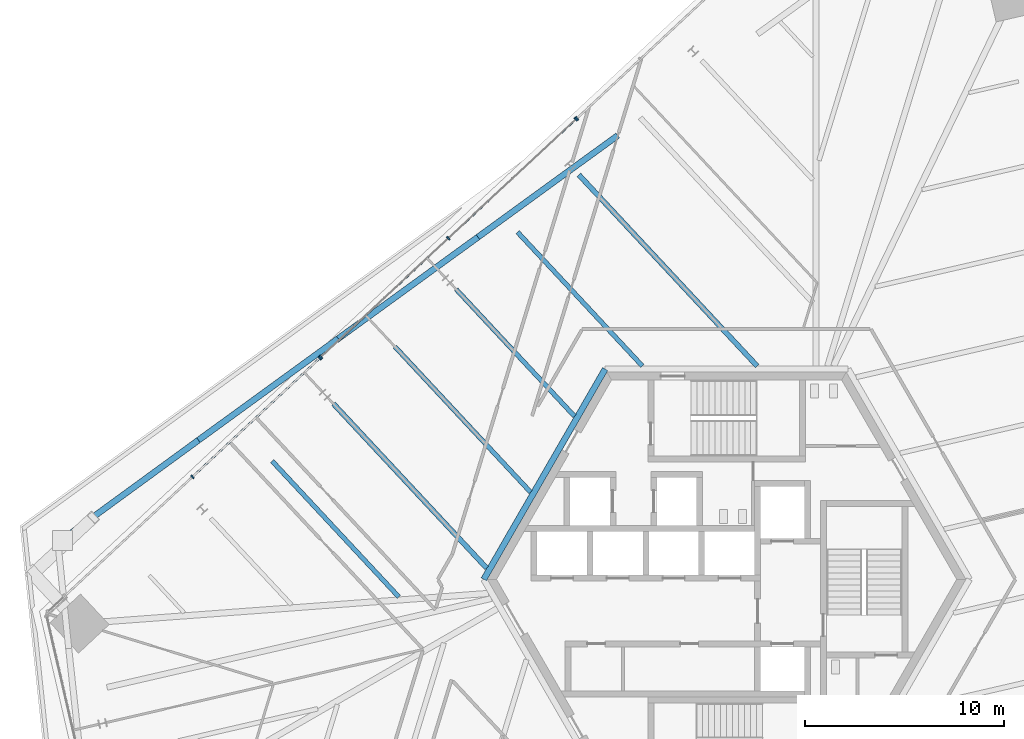
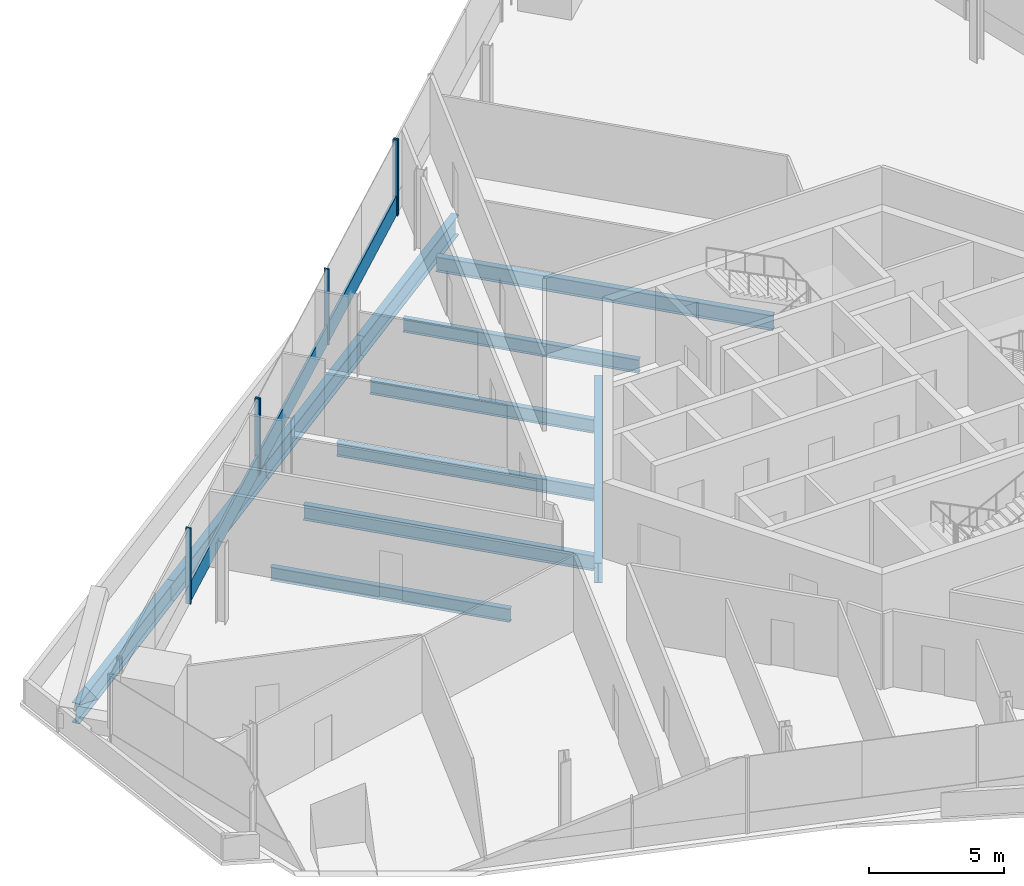
# One storey, part 8 of 25: 11 beams, 9 members, 3 elements without a shape of their own.
"""IFC4 building model written with IfcOpenShell, lengths in metres."""

from ifc_helpers import new_model, si_unit, direction, frame, origin, origin_2d, place, context, subcontext, project, spatial, rectangle, i_section, extrude, source, transform, mapped, material, material_profile, profile_set, type_object, element, aggregate, save


model = new_model("IFC4")

# Units and contexts
model_context = context("Model", 3, precision=1e-05, world=origin(), true_north=direction((0.0, 1.0)))
body_context = subcontext(model_context, "Body", "Model", "MODEL_VIEW")
ifc_project = project(units=[si_unit("LENGTHUNIT", "METRE"), si_unit("AREAUNIT", "SQUARE_METRE"), si_unit("VOLUMEUNIT", "CUBIC_METRE"), si_unit("PLANEANGLEUNIT", "RADIAN"), si_unit("MASSUNIT", "GRAM", prefix="KILO")], contexts=[model_context])

# Site, building, storey
site_placement = place(None, origin())
site = spatial("IfcSite", under=ifc_project, at=site_placement, CompositionType="ELEMENT")
building_placement = place(site_placement, origin())
building = spatial("IfcBuilding", under=site, at=building_placement, Name="Triune Harvest Tower", CompositionType="ELEMENT")
storey_placement = place(building_placement, frame((0.0, 0.0, 98.300048828125)))
storey = spatial("IfcBuildingStorey", under=building, at=storey_placement, Name="L24", CompositionType="ELEMENT", Elevation=98.300048828125)

# Beams
ifc_material_1 = material(Name="Steel ASTM A992 Gr 50", Category="steel")
ifc_material_profile_1 = material_profile(ifc_material_1, i_section(OverallWidth=0.253662109375, OverallDepth=0.683349609375, WebThickness=0.012451171875, FlangeThickness=0.01904296875, at=origin_2d()), Name="W27x94")
ifc_profile_set_1 = profile_set([ifc_material_profile_1], Name="Steel ASTM A992 Gr 50")
beam_type_1 = type_object("IfcBeamType", Name="JT-4 Floor joist W27x94", PredefinedType="JOIST", material=ifc_profile_set_1)
beam_1_placement = place(storey_placement, frame((-7.404541015625, 20.2783203125, -0.501708984375), z_axis=(0.681992832322, -0.731358856282, 0.0), x_axis=(0.731358856282, 0.681992832322, 0.0)))
element("IfcBeam", 1, at=beam_1_placement, inside=storey, type_object=beam_type_1, Name="beam/L24/JT17", PredefinedType="JOIST", context=body_context, shape_type="SweptSolid", body=[
    extrude(i_section(OverallWidth=0.253662109375, OverallDepth=0.683349609375, WebThickness=0.012451171875, FlangeThickness=0.01904296875, at=origin_2d()), origin(), (0.0, 0.0, 1.0), 13.1005859375),
])
beam_2_placement = place(storey_placement, frame((-19.71240234375, 8.801025390625, -0.501708984375), z_axis=(0.681995471969, -0.731356394799, 0.0), x_axis=(0.731356394799, 0.681995471969, 0.0)))
element("IfcBeam", 2, at=beam_2_placement, inside=storey, type_object=beam_type_1, Name="beam/L24/JT21", PredefinedType="JOIST", context=body_context, shape_type="SweptSolid", body=[
    extrude(i_section(OverallWidth=0.253662109375, OverallDepth=0.683349609375, WebThickness=0.012451171875, FlangeThickness=0.01904296875, at=origin_2d()), origin(), (0.0, 0.0, 1.0), 11.26708984375),
])
ifc_material_2 = material(Name="Steel ASTM A992 Gr 50", Category="steel")
ifc_material_profile_2 = material_profile(ifc_material_2, i_section(OverallWidth=0.3046875, OverallDepth=0.914306640625, WebThickness=0.0166015625, FlangeThickness=0.02587890625, at=origin_2d()), Name="W36x160")
ifc_profile_set_2 = profile_set([ifc_material_profile_2], Name="Steel ASTM A992 Gr 50")
beam_type_2 = type_object("IfcBeamType", Name="SB-1 Spandrel beam W36x160", PredefinedType="SPANDREL", material=ifc_profile_set_2)
beam_3_placement = place(storey_placement, frame((-5.46044921875, 22.2529296875, -0.6171875), z_axis=(-0.809022399038, -0.58777781334, 0.0), x_axis=(0.58777781334, -0.809022399038, 0.0)))
element("IfcBeam", 3, at=beam_3_placement, inside=storey, type_object=beam_type_2, Name="beam/L24/WB9", PredefinedType="SPANDREL", context=body_context, shape_type="SweptSolid", body=[
    extrude(i_section(OverallWidth=0.3046875, OverallDepth=0.914306640625, WebThickness=0.0166015625, FlangeThickness=0.02587890625, at=origin_2d()), origin(), (0.0, 0.0, 1.0), 8.662353515625),
])
ifc_material_3 = material(Name="Steel ASTM A992 Gr 50", Category="steel")
ifc_material_profile_3 = material_profile(ifc_material_3, i_section(OverallWidth=0.3046875, OverallDepth=0.914306640625, WebThickness=0.0166015625, FlangeThickness=0.02587890625, at=origin_2d()), Name="W36x160")
ifc_profile_set_3 = profile_set([ifc_material_profile_3], Name="Steel ASTM A992 Gr 50")
beam_type_3 = type_object("IfcBeamType", Name="CG-1 Core ring girder W36x160", PredefinedType="BEAM", material=ifc_profile_set_3)
shared_shape_1 = source(origin(), body_context, "Body", "SweptSolid", [
    extrude(i_section(OverallWidth=0.3046875, OverallDepth=0.914306640625, WebThickness=0.0166015625, FlangeThickness=0.02587890625, at=origin_2d()), origin(), (0.0, 0.0, 1.0), 12.176025390625),
])
beam_4_placement = place(storey_placement, frame((-6.087890625, 10.544677734375, -0.6171875), z_axis=(-0.5000099932, -0.866019634131, 0.0), x_axis=(0.866019634131, -0.5000099932, 0.0)))
element("IfcBeam", 4, at=beam_4_placement, inside=storey, type_object=beam_type_3, Name="beam/L24/CG3", PredefinedType="BEAM", context=body_context, shape_type="MappedRepresentation", body=[
    mapped(shared_shape_1, transform((0.0, 0.0, 0.0), scale=1.0)),
])
shared_shape_2 = source(origin(), body_context, "Body", "SweptSolid", [
    extrude(i_section(OverallWidth=0.3046875, OverallDepth=0.914306640625, WebThickness=0.0166015625, FlangeThickness=0.02587890625, at=origin_2d()), origin(), (0.0, 0.0, 1.0), 8.662109375),
])
for number, where, z_axis, x_axis, name in (
    (5, (-12.468505859375, 17.161376953125, -0.6171875), (-0.809012661611, -0.587791215785, 0.0), (0.587791215785, -0.809012661611, 0.0), "beam/L24/WB10"),
    (6, (-19.476318359375, 12.06982421875, -0.6171875), (-0.809012661611, -0.587791215785, 0.0), (0.587791215785, -0.809012661611, 0.0), "beam/L24/WB11"),
):
    element("IfcBeam", number, at=place(storey_placement, frame(where, z_axis=z_axis, x_axis=x_axis)), inside=storey, type_object=beam_type_2, Name=name, PredefinedType="SPANDREL", context=body_context, shape_type="MappedRepresentation", body=[
        mapped(shared_shape_2, transform((0.0, 0.0, 0.0), scale=1.0)),
    ])
shared_shape_3 = source(origin(), body_context, "Body", "SweptSolid", [
    extrude(i_section(OverallWidth=0.3046875, OverallDepth=0.914306640625, WebThickness=0.0166015625, FlangeThickness=0.02587890625, at=origin_2d()), origin(), (0.0, 0.0, 1.0), 8.72216796875),
])
beam_5_placement = place(storey_placement, frame((-26.484130859375, 6.978271484375, -0.6171875), z_axis=(-0.807923129497, -0.589287889596, 0.0), x_axis=(0.589287889596, -0.807923129497, 0.0)))
element("IfcBeam", 7, at=beam_5_placement, inside=storey, type_object=beam_type_2, Name="beam/L24/WB12", PredefinedType="SPANDREL", context=body_context, shape_type="MappedRepresentation", body=[
    mapped(shared_shape_3, transform((0.0, 0.0, 0.0), scale=1.0)),
])
ifc_material_4 = material(Name="Steel ASTM A992 Gr 50", Category="steel")
ifc_material_profile_4 = material_profile(ifc_material_4, i_section(OverallWidth=0.22900390625, OverallDepth=0.612060546875, WebThickness=0.011962890625, FlangeThickness=0.01953125, at=origin_2d()), Name="W24x84")
ifc_profile_set_4 = profile_set([ifc_material_profile_4], Name="Steel ASTM A992 Gr 50")
beam_type_4 = type_object("IfcBeamType", Name="JT-3 Floor joist W24x84", PredefinedType="JOIST", material=ifc_profile_set_4)
shared_shape_4 = source(origin(), body_context, "Body", "SweptSolid", [
    extrude(i_section(OverallWidth=0.22900390625, OverallDepth=0.612060546875, WebThickness=0.011962890625, FlangeThickness=0.01953125, at=origin_2d()), origin(), (0.0, 0.0, 1.0), 9.17724609375),
])
beam_6_placement = place(storey_placement, frame((-10.4814453125, 17.408935546875, -0.466064453125), z_axis=(0.681988331971, -0.731363052837, 0.0), x_axis=(0.731363052837, 0.681988331971, 0.0)))
element("IfcBeam", 8, at=beam_6_placement, inside=storey, type_object=beam_type_4, Name="beam/L24/JT18", PredefinedType="JOIST", context=body_context, shape_type="MappedRepresentation", body=[
    mapped(shared_shape_4, transform((0.0, 0.0, 0.0), scale=1.0)),
])
shared_shape_5 = source(origin(), body_context, "Body", "SweptSolid", [
    extrude(i_section(OverallWidth=0.22900390625, OverallDepth=0.612060546875, WebThickness=0.011962890625, FlangeThickness=0.01953125, at=origin_2d()), origin(), (0.0, 0.0, 1.0), 9.317626953125),
])
beam_7_placement = place(storey_placement, frame((-22.789306640625, 5.931640625, -0.466064453125), z_axis=(0.681993299437, -0.731358420696, 0.0), x_axis=(0.731358420696, 0.681993299437, 0.0)))
element("IfcBeam", 9, at=beam_7_placement, inside=storey, type_object=beam_type_4, Name="beam/L24/JT22", PredefinedType="JOIST", context=body_context, shape_type="MappedRepresentation", body=[
    mapped(shared_shape_5, transform((0.0, 0.0, 0.0), scale=1.0)),
])
shared_shape_6 = source(origin(), body_context, "Body", "SweptSolid", [
    extrude(i_section(OverallWidth=0.22900390625, OverallDepth=0.612060546875, WebThickness=0.011962890625, FlangeThickness=0.01953125, at=origin_2d()), origin(), (0.0, 0.0, 1.0), 8.694580078125),
])
beam_8_placement = place(storey_placement, frame((-13.55859375, 14.539794921875, -0.466064453125), z_axis=(0.68199403555, -0.731357734269, 0.0), x_axis=(0.731357734269, 0.68199403555, 0.0)))
element("IfcBeam", 10, at=beam_8_placement, inside=storey, type_object=beam_type_4, Name="beam/L24/JT19", PredefinedType="JOIST", context=body_context, shape_type="MappedRepresentation", body=[
    mapped(shared_shape_6, transform((0.0, 0.0, 0.0), scale=1.0)),
])
shared_shape_7 = source(origin(), body_context, "Body", "SweptSolid", [
    extrude(i_section(OverallWidth=0.22900390625, OverallDepth=0.612060546875, WebThickness=0.011962890625, FlangeThickness=0.01953125, at=origin_2d()), origin(), (0.0, 0.0, 1.0), 9.98095703125),
])
beam_9_placement = place(storey_placement, frame((-16.635498046875, 11.67041015625, -0.466064453125), z_axis=(0.681994846314, -0.731356978227, 0.0), x_axis=(0.731356978227, 0.681994846314, 0.0)))
element("IfcBeam", 11, at=beam_9_placement, inside=storey, type_object=beam_type_4, Name="beam/L24/JT20", PredefinedType="JOIST", context=body_context, shape_type="MappedRepresentation", body=[
    mapped(shared_shape_7, transform((0.0, 0.0, 0.0), scale=1.0)),
])

# Curtain wall, member
ifc_material_5 = material(Name="Aluminium bronze anodised", Category="aluminium")
curtain_wall_type_1 = type_object("IfcCurtainWallType", Name="CW-7 Tower stick curtain wall with insulated spandrel infill", PredefinedType="NOTDEFINED", material=ifc_material_5)
curtain_wall_1_placement = place(storey_placement, origin())
curtain_wall_1 = element("IfcCurtainWall", 12, at=curtain_wall_1_placement, inside=storey, type_object=curtain_wall_type_1, Name="CW-7 B3-F3 L24 run 201")
ifc_material_6 = material(Name="Aluminium bronze anodised", Category="aluminium")
ifc_material_profile_5 = material_profile(ifc_material_6, rectangle(XDim=0.199951171875, YDim=0.074951171875, at=origin_2d()), Name="MU-1 mullion 75 x 200")
ifc_profile_set_5 = profile_set([ifc_material_profile_5], Name="Aluminium bronze anodised")
member_type_1 = type_object("IfcMemberType", Name="MU-1 mullion 75 x 200", PredefinedType="MULLION", material=ifc_profile_set_5)
shared_shape_8 = source(origin(), body_context, "Body", "SweptSolid", [
    extrude(rectangle(XDim=0.199951171875, YDim=0.074951171875, at=origin_2d()), origin(), (0.0, 0.0, 1.0), 3.43994140625),
])
member_1_placement = place(storey_placement, frame((-7.507080078125, 23.11376953125, 0.0), z_axis=(0.0, 0.0, 1.0), x_axis=(0.681999530544, -0.731352610126, 0.0)))
member_1 = element("IfcMember", 13, at=member_1_placement, type_object=member_type_1, Name="CW-7 mullion B3-F3 201.4", PredefinedType="MULLION", context=body_context, shape_type="MappedRepresentation", body=[
    mapped(shared_shape_8, transform((0.0, 0.0, 0.0), scale=1.0)),
])
aggregate(curtain_wall_1, [member_1])

# Curtain wall, members
ifc_material_7 = material(Name="Aluminium bronze anodised", Category="aluminium")
curtain_wall_type_2 = type_object("IfcCurtainWallType", Name="CW-1 Tower stick curtain wall", PredefinedType="NOTDEFINED", material=ifc_material_7)
curtain_wall_2_placement = place(storey_placement, origin())
curtain_wall_2 = element("IfcCurtainWall", 14, at=curtain_wall_2_placement, inside=storey, type_object=curtain_wall_type_2, Name="CW-1 B3-F3 L24 run 1201")
member_2_placement = place(storey_placement, frame((-7.561767578125, 23.062744140625, 0.0), z_axis=(0.0, 0.0, 1.0), x_axis=(0.681996756581, -0.731355196887, 0.0)))
member_2 = element("IfcMember", 15, at=member_2_placement, type_object=member_type_1, Name="CW-1 mullion B3-F3 1201.1", PredefinedType="MULLION", context=body_context, shape_type="MappedRepresentation", body=[
    mapped(shared_shape_8, transform((0.0, 0.0, 0.0), scale=1.0)),
])
member_3_placement = place(storey_placement, frame((-13.950927734375, 17.104736328125, 0.0), z_axis=(0.0, 0.0, 1.0), x_axis=(0.681996756581, -0.731355196887, 0.0)))
member_3 = element("IfcMember", 16, at=member_3_placement, type_object=member_type_1, Name="CW-1 mullion B3-F3 1201.3", PredefinedType="MULLION", context=body_context, shape_type="MappedRepresentation", body=[
    mapped(shared_shape_8, transform((0.0, 0.0, 0.0), scale=1.0)),
])
member_4_placement = place(storey_placement, frame((-20.340087890625, 11.146728515625, 0.0), z_axis=(0.0, 0.0, 1.0), x_axis=(0.681996756581, -0.731355196887, 0.0)))
member_4 = element("IfcMember", 17, at=member_4_placement, type_object=member_type_1, Name="CW-1 mullion B3-F3 1201.5", PredefinedType="MULLION", context=body_context, shape_type="MappedRepresentation", body=[
    mapped(shared_shape_8, transform((0.0, 0.0, 0.0), scale=1.0)),
])

curtain_wall_3_placement = place(storey_placement, origin())
curtain_wall_3 = element("IfcCurtainWall", 18, at=curtain_wall_3_placement, inside=storey, type_object=curtain_wall_type_1, Name="CW-7 B3-F3 L24 run 2201")
member_5_placement = place(storey_placement, frame((-20.39501953125, 11.095703125, 0.0), z_axis=(0.0, 0.0, 1.0), x_axis=(0.681999599114, -0.731352546183, 0.0)))
member_5 = element("IfcMember", 19, at=member_5_placement, type_object=member_type_1, Name="CW-7 mullion B3-F3 2201.1", PredefinedType="MULLION", context=body_context, shape_type="MappedRepresentation", body=[
    mapped(shared_shape_8, transform((0.0, 0.0, 0.0), scale=1.0)),
])
member_6_placement = place(storey_placement, frame((-26.7841796875, 5.1376953125, 0.0), z_axis=(0.0, 0.0, 1.0), x_axis=(0.681999599114, -0.731352546183, 0.0)))
member_6 = element("IfcMember", 20, at=member_6_placement, type_object=member_type_1, Name="CW-7 mullion B3-F3 2201.3", PredefinedType="MULLION", context=body_context, shape_type="MappedRepresentation", body=[
    mapped(shared_shape_8, transform((0.0, 0.0, 0.0), scale=1.0)),
])

# Member
ifc_material_8 = material(Name="Aluminium bronze anodised", Category="aluminium")
ifc_material_profile_6 = material_profile(ifc_material_8, rectangle(XDim=0.090087890625, YDim=0.89990234375, at=origin_2d()), Name="TR-1 transom 90 x 900")
ifc_profile_set_6 = profile_set([ifc_material_profile_6], Name="Aluminium bronze anodised")
member_type_2 = type_object("IfcMemberType", Name="TR-1 transom 90 x 900", PredefinedType="USERDEFINED", material=ifc_profile_set_6)
shared_shape_9 = source(origin(), body_context, "Body", "SweptSolid", [
    extrude(rectangle(XDim=0.090087890625, YDim=0.89990234375, at=origin_2d()), origin(), (0.0, 0.0, 1.0), 8.660888671875),
])
member_7_placement = place(storey_placement, frame((-7.58935546875, 23.037109375, 0.449951171875), z_axis=(-0.73135516259, -0.681996793359, 0.0), x_axis=(0.681996793359, -0.73135516259, 0.0)))
member_7 = element("IfcMember", 21, at=member_7_placement, type_object=member_type_2, Name="CW-1 transom B3-F3 1201.1", ObjectType="TRANSOM", PredefinedType="USERDEFINED", context=body_context, shape_type="MappedRepresentation", body=[
    mapped(shared_shape_9, transform((0.0, 0.0, 0.0), scale=1.0)),
])

member_8_placement = place(storey_placement, frame((-13.978515625, 17.0791015625, 0.449951171875), z_axis=(-0.73135516259, -0.681996793359, 0.0), x_axis=(0.681996793359, -0.73135516259, 0.0)))
member_8 = element("IfcMember", 22, at=member_8_placement, type_object=member_type_2, Name="CW-1 transom B3-F3 1201.2", ObjectType="TRANSOM", PredefinedType="USERDEFINED", context=body_context, shape_type="MappedRepresentation", body=[
    mapped(shared_shape_9, transform((0.0, 0.0, 0.0), scale=1.0)),
])

aggregate(curtain_wall_2, [member_2, member_3, member_4, member_7, member_8])

shared_shape_10 = source(origin(), body_context, "Body", "SweptSolid", [
    extrude(rectangle(XDim=0.090087890625, YDim=0.89990234375, at=origin_2d()), origin(), (0.0, 0.0, 1.0), 8.6611328125),
])
member_9_placement = place(storey_placement, frame((-20.42236328125, 11.070068359375, 0.449951171875), z_axis=(-0.731368273291, -0.681982733523, 0.0), x_axis=(0.681982733523, -0.731368273291, 0.0)))
member_9 = element("IfcMember", 23, at=member_9_placement, type_object=member_type_2, Name="CW-7 transom B3-F3 2201.1", ObjectType="TRANSOM", PredefinedType="USERDEFINED", context=body_context, shape_type="MappedRepresentation", body=[
    mapped(shared_shape_10, transform((0.0, 0.0, 0.0), scale=1.0)),
])

aggregate(curtain_wall_3, [member_5, member_6, member_9])

save(model, "model.ifc")
